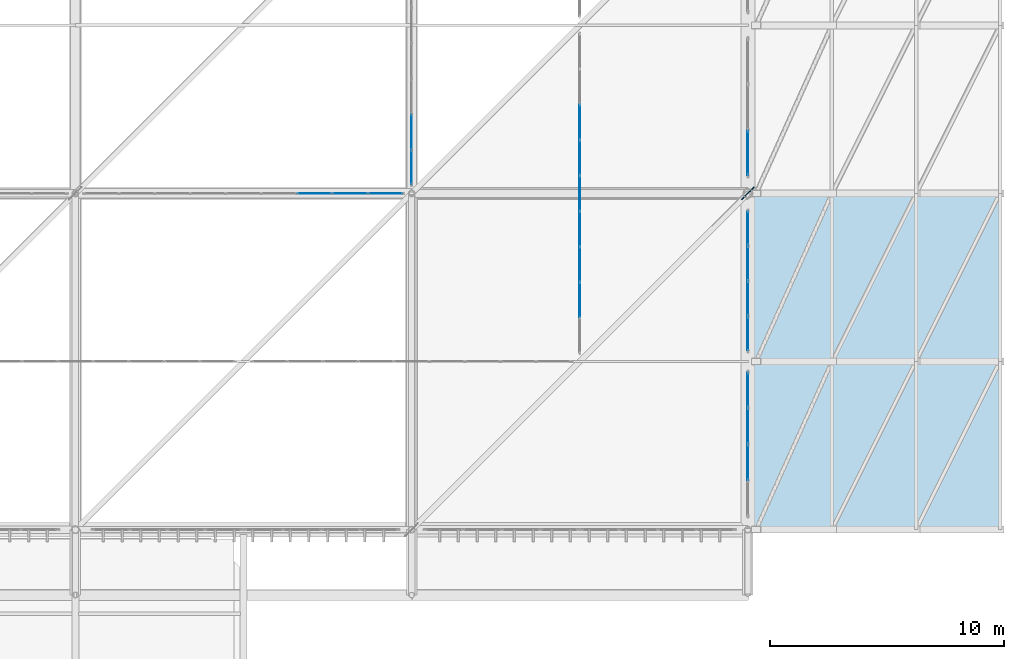
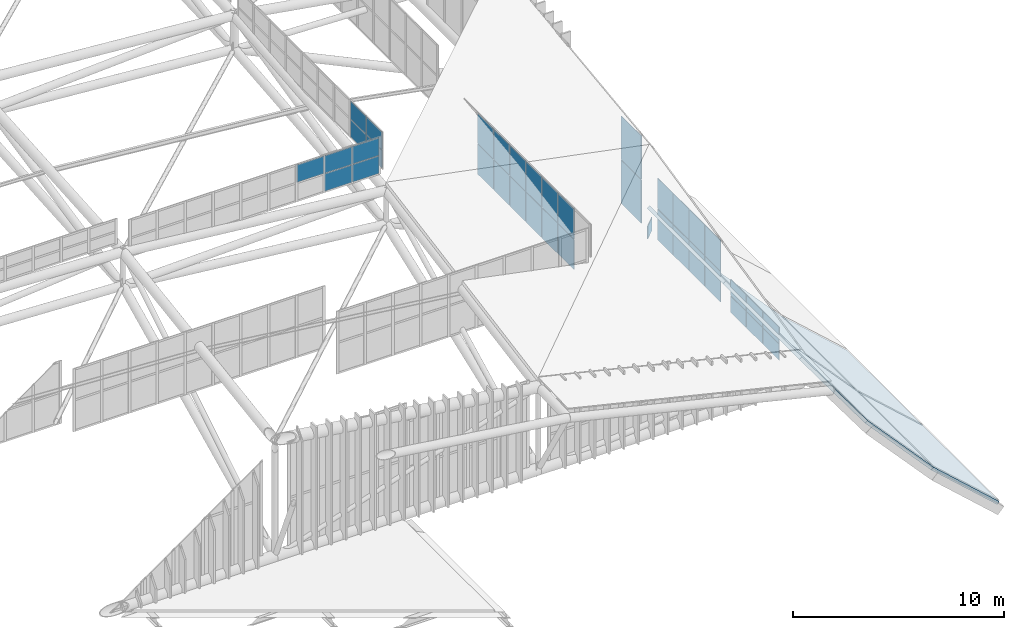
# One storey, part 367 of 397: 38 plates, 6 slabs, 6 elements without a shape of their own.
"""IFC4 building model written with IfcOpenShell, lengths in metres."""

from ifc_helpers import new_model, si_unit, direction, frame, origin, origin_2d, place, context, subcontext, project, spatial, polyline, rectangle, outline, extrude, material, layer, layer_set, type_object, element, aggregate, save


model = new_model("IFC4")

# Units and contexts
model_context = context("Model", 3, precision=1e-05, world=origin(), true_north=direction((0.0, 1.0)))
body_context = subcontext(model_context, "Body", "Model", "MODEL_VIEW")
ifc_project = project(units=[si_unit("LENGTHUNIT", "METRE"), si_unit("AREAUNIT", "SQUARE_METRE"), si_unit("VOLUMEUNIT", "CUBIC_METRE"), si_unit("PLANEANGLEUNIT", "RADIAN"), si_unit("MASSUNIT", "GRAM", prefix="KILO")], contexts=[model_context])

# Site, building, storey
site_placement = place(None, origin())
site = spatial("IfcSite", under=ifc_project, at=site_placement, CompositionType="ELEMENT")
building_placement = place(site_placement, origin())
building = spatial("IfcBuilding", under=site, at=building_placement, Name="Qandorah Velis Arena", CompositionType="ELEMENT")
storey_placement = place(building_placement, frame((0.0, 0.0, 27.5)))
storey = spatial("IfcBuildingStorey", under=building, at=storey_placement, Name="RF", CompositionType="ELEMENT", Elevation=27.5)

# Curtain wall, plates
ifc_material_1 = material(Name="Solar-control low-E double glazing", Category="glass")
curtain_wall_type_1 = type_object("IfcCurtainWallType", Name="ARC-CW-SYS13", PredefinedType="USERDEFINED", material=ifc_material_1)
curtain_wall_1_placement = place(storey_placement, origin())
curtain_wall_1 = element("IfcCurtainWall", 1, at=curtain_wall_1_placement, inside=storey, type_object=curtain_wall_type_1, Name="Unitised curtain wall MON-2-1", ObjectType="UNITISED CURTAIN WALL", PredefinedType="USERDEFINED")
ifc_layer_1 = layer(ifc_material_1, 0.030029296875)
ifc_layer_set_1 = layer_set([ifc_layer_1], Name="Solar-control low-E double glazing")
plate_type_1 = type_object("IfcPlateType", Name="ARC-CWP-GLZ30", PredefinedType="CURTAIN_PANEL", material=ifc_layer_set_1)
plate_1_placement = place(storey_placement, frame((108.0, 24.2333984375, 3.58642578125), z_axis=(0.0, 0.0, 1.0), x_axis=(0.0, 1.0, 0.0)))
plate_1 = element("IfcPlate", 2, at=plate_1_placement, type_object=plate_type_1, Name="CW13 panel 2.1", PredefinedType="CURTAIN_PANEL", context=body_context, shape_type="SweptSolid", body=[
    extrude(rectangle(XDim=1.4873046875, YDim=0.030029296875, at=origin_2d()), origin(), (0.0, 0.0, 1.0), 1.737548828125),
])
plate_2_placement = place(storey_placement, frame((108.0, 24.2333984375, 5.35888671875), z_axis=(0.0, 0.0, 1.0), x_axis=(0.0, 1.0, 0.0)))
plate_2 = element("IfcPlate", 3, at=plate_2_placement, type_object=plate_type_1, Name="CW13 panel 2.2", PredefinedType="CURTAIN_PANEL", context=body_context, shape_type="SweptSolid", body=[
    extrude(rectangle(XDim=1.4873046875, YDim=0.030029296875, at=origin_2d()), origin(), (0.0, 0.0, 1.0), 1.737548828125),
])
plate_3_placement = place(storey_placement, frame((108.0, 25.755615234375, 3.58642578125), z_axis=(0.0, 0.0, 1.0), x_axis=(0.0, 1.0, 0.0)))
plate_3 = element("IfcPlate", 4, at=plate_3_placement, type_object=plate_type_1, Name="CW13 panel 3.1", PredefinedType="CURTAIN_PANEL", context=body_context, shape_type="SweptSolid", body=[
    extrude(rectangle(XDim=1.4873046875, YDim=0.030029296875, at=origin_2d()), origin(), (0.0, 0.0, 1.0), 1.737548828125),
])
plate_4_placement = place(storey_placement, frame((108.0, 25.755615234375, 5.35888671875), z_axis=(0.0, 0.0, 1.0), x_axis=(0.0, 1.0, 0.0)))
plate_4 = element("IfcPlate", 5, at=plate_4_placement, type_object=plate_type_1, Name="CW13 panel 3.2", PredefinedType="CURTAIN_PANEL", context=body_context, shape_type="SweptSolid", body=[
    extrude(rectangle(XDim=1.4873046875, YDim=0.030029296875, at=origin_2d()), origin(), (0.0, 0.0, 1.0), 1.737548828125),
])
plate_5_placement = place(storey_placement, frame((108.0, 27.27783203125, 3.58642578125), z_axis=(0.0, 0.0, 1.0), x_axis=(0.0, 1.0, 0.0)))
plate_5 = element("IfcPlate", 6, at=plate_5_placement, type_object=plate_type_1, Name="CW13 panel 4.1", PredefinedType="CURTAIN_PANEL", context=body_context, shape_type="SweptSolid", body=[
    extrude(rectangle(XDim=1.4873046875, YDim=0.030029296875, at=origin_2d()), origin(), (0.0, 0.0, 1.0), 1.737548828125),
])
plate_6_placement = place(storey_placement, frame((108.0, 27.27783203125, 5.35888671875), z_axis=(0.0, 0.0, 1.0), x_axis=(0.0, 1.0, 0.0)))
plate_6 = element("IfcPlate", 7, at=plate_6_placement, type_object=plate_type_1, Name="CW13 panel 4.2", PredefinedType="CURTAIN_PANEL", context=body_context, shape_type="SweptSolid", body=[
    extrude(rectangle(XDim=1.4873046875, YDim=0.030029296875, at=origin_2d()), origin(), (0.0, 0.0, 1.0), 1.737548828125),
])
plate_7_placement = place(storey_placement, frame((108.0, 28.800048828125, 3.58642578125), z_axis=(0.0, 0.0, 1.0), x_axis=(0.0, 1.0, 0.0)))
plate_7 = element("IfcPlate", 8, at=plate_7_placement, type_object=plate_type_1, Name="CW13 panel 5.1", PredefinedType="CURTAIN_PANEL", context=body_context, shape_type="SweptSolid", body=[
    extrude(rectangle(XDim=1.4873046875, YDim=0.030029296875, at=origin_2d()), origin(), (0.0, 0.0, 1.0), 1.737548828125),
])
plate_8_placement = place(storey_placement, frame((108.0, 28.800048828125, 5.35888671875), z_axis=(0.0, 0.0, 1.0), x_axis=(0.0, 1.0, 0.0)))
plate_8 = element("IfcPlate", 9, at=plate_8_placement, type_object=plate_type_1, Name="CW13 panel 5.2", PredefinedType="CURTAIN_PANEL", context=body_context, shape_type="SweptSolid", body=[
    extrude(rectangle(XDim=1.4873046875, YDim=0.030029296875, at=origin_2d()), origin(), (0.0, 0.0, 1.0), 1.737548828125),
])
plate_9_placement = place(storey_placement, frame((108.0, 30.322265625, 3.58642578125), z_axis=(0.0, 0.0, 1.0), x_axis=(0.0, 1.0, 0.0)))
plate_9 = element("IfcPlate", 10, at=plate_9_placement, type_object=plate_type_1, Name="CW13 panel 6.1", PredefinedType="CURTAIN_PANEL", context=body_context, shape_type="SweptSolid", body=[
    extrude(rectangle(XDim=1.4873046875, YDim=0.030029296875, at=origin_2d()), origin(), (0.0, 0.0, 1.0), 1.737548828125),
])
plate_10_placement = place(storey_placement, frame((108.0, 30.322265625, 5.35888671875), z_axis=(0.0, 0.0, 1.0), x_axis=(0.0, 1.0, 0.0)))
plate_10 = element("IfcPlate", 11, at=plate_10_placement, type_object=plate_type_1, Name="CW13 panel 6.2", PredefinedType="CURTAIN_PANEL", context=body_context, shape_type="SweptSolid", body=[
    extrude(rectangle(XDim=1.4873046875, YDim=0.030029296875, at=origin_2d()), origin(), (0.0, 0.0, 1.0), 1.737548828125),
])
plate_11_placement = place(storey_placement, frame((108.0, 31.844482421875, 3.58642578125), z_axis=(0.0, 0.0, 1.0), x_axis=(0.0, 1.0, 0.0)))
plate_11 = element("IfcPlate", 12, at=plate_11_placement, type_object=plate_type_1, Name="CW13 panel 7.1", PredefinedType="CURTAIN_PANEL", context=body_context, shape_type="SweptSolid", body=[
    extrude(rectangle(XDim=1.4873046875, YDim=0.030029296875, at=origin_2d()), origin(), (0.0, 0.0, 1.0), 1.737548828125),
])
plate_12_placement = place(storey_placement, frame((108.0, 31.844482421875, 5.35888671875), z_axis=(0.0, 0.0, 1.0), x_axis=(0.0, 1.0, 0.0)))
plate_12 = element("IfcPlate", 13, at=plate_12_placement, type_object=plate_type_1, Name="CW13 panel 7.2", PredefinedType="CURTAIN_PANEL", context=body_context, shape_type="SweptSolid", body=[
    extrude(rectangle(XDim=1.4873046875, YDim=0.030029296875, at=origin_2d()), origin(), (0.0, 0.0, 1.0), 1.737548828125),
])
aggregate(curtain_wall_1, [plate_1, plate_2, plate_3, plate_4, plate_5, plate_6, plate_7, plate_8, plate_9, plate_10, plate_11, plate_12])

curtain_wall_type_2 = type_object("IfcCurtainWallType", Name="ARC-CW-SYS11", PredefinedType="USERDEFINED", material=ifc_material_1)
curtain_wall_2_placement = place(storey_placement, origin())
curtain_wall_2 = element("IfcCurtainWall", 14, at=curtain_wall_2_placement, inside=storey, type_object=curtain_wall_type_2, Name="Unitised curtain wall OCULUS-2-1", ObjectType="UNITISED CURTAIN WALL", PredefinedType="USERDEFINED")
plate_13_placement = place(storey_placement, frame((100.800048828125, 29.9248046875, 8.53125), z_axis=(0.0, 0.0, 1.0), x_axis=(0.0, 1.0, 0.0)))
plate_13 = element("IfcPlate", 15, at=plate_13_placement, type_object=plate_type_1, Name="CW11 panel 1.1", PredefinedType="CURTAIN_PANEL", context=body_context, shape_type="SweptSolid", body=[
    extrude(rectangle(XDim=1.459716796875, YDim=0.030029296875, at=origin_2d()), origin(), (0.0, 0.0, 1.0), 1.012451171875),
])
plate_14_placement = place(storey_placement, frame((100.800048828125, 29.9248046875, 9.57861328125), z_axis=(0.0, 0.0, 1.0), x_axis=(0.0, 1.0, 0.0)))
plate_14 = element("IfcPlate", 16, at=plate_14_placement, type_object=plate_type_1, Name="CW11 panel 1.2", PredefinedType="CURTAIN_PANEL", context=body_context, shape_type="SweptSolid", body=[
    extrude(rectangle(XDim=1.459716796875, YDim=0.030029296875, at=origin_2d()), origin(), (0.0, 0.0, 1.0), 1.012451171875),
])
plate_15_placement = place(storey_placement, frame((100.800048828125, 31.433349609375, 8.53125), z_axis=(0.0, 0.0, 1.0), x_axis=(0.0, 1.0, 0.0)))
plate_15 = element("IfcPlate", 17, at=plate_15_placement, type_object=plate_type_1, Name="CW11 panel 2.1", PredefinedType="CURTAIN_PANEL", context=body_context, shape_type="SweptSolid", body=[
    extrude(rectangle(XDim=1.4873046875, YDim=0.030029296875, at=origin_2d()), origin(), (0.0, 0.0, 1.0), 1.012451171875),
])
plate_16_placement = place(storey_placement, frame((100.800048828125, 31.433349609375, 9.57861328125), z_axis=(0.0, 0.0, 1.0), x_axis=(0.0, 1.0, 0.0)))
plate_16 = element("IfcPlate", 18, at=plate_16_placement, type_object=plate_type_1, Name="CW11 panel 2.2", PredefinedType="CURTAIN_PANEL", context=body_context, shape_type="SweptSolid", body=[
    extrude(rectangle(XDim=1.4873046875, YDim=0.030029296875, at=origin_2d()), origin(), (0.0, 0.0, 1.0), 1.012451171875),
])
aggregate(curtain_wall_2, [plate_13, plate_14, plate_15, plate_16])

curtain_wall_type_3 = type_object("IfcCurtainWallType", Name="ARC-CW-SYS20", PredefinedType="USERDEFINED", material=ifc_material_1)
curtain_wall_3_placement = place(storey_placement, origin())
curtain_wall_3 = element("IfcCurtainWall", 19, at=curtain_wall_3_placement, inside=storey, type_object=curtain_wall_type_3, Name="Unitised curtain wall OCULUS-3-5", ObjectType="UNITISED CURTAIN WALL", PredefinedType="USERDEFINED")
plate_17_placement = place(storey_placement, frame((96.64453125, 28.800048828125, 9.642578125), z_axis=(0.0, 0.0, 1.0), x_axis=(1.0, 0.0, 0.0)))
plate_17 = element("IfcPlate", 20, at=plate_17_placement, type_object=plate_type_1, Name="CW20 panel 7.2", PredefinedType="CURTAIN_PANEL", context=body_context, shape_type="SweptSolid", body=[
    extrude(rectangle(XDim=1.4873046875, YDim=0.030029296875, at=origin_2d()), origin(), (0.0, 0.0, 1.0), 1.012451171875),
])
plate_18_placement = place(storey_placement, frame((98.166748046875, 28.800048828125, 8.59521484375), z_axis=(0.0, 0.0, 1.0), x_axis=(1.0, 0.0, 0.0)))
plate_18 = element("IfcPlate", 21, at=plate_18_placement, type_object=plate_type_1, Name="CW20 panel 8.1", PredefinedType="CURTAIN_PANEL", context=body_context, shape_type="SweptSolid", body=[
    extrude(rectangle(XDim=1.4873046875, YDim=0.030029296875, at=origin_2d()), origin(), (0.0, 0.0, 1.0), 1.012451171875),
])
plate_19_placement = place(storey_placement, frame((98.166748046875, 28.800048828125, 9.642578125), z_axis=(0.0, 0.0, 1.0), x_axis=(1.0, 0.0, 0.0)))
plate_19 = element("IfcPlate", 22, at=plate_19_placement, type_object=plate_type_1, Name="CW20 panel 8.2", PredefinedType="CURTAIN_PANEL", context=body_context, shape_type="SweptSolid", body=[
    extrude(rectangle(XDim=1.4873046875, YDim=0.030029296875, at=origin_2d()), origin(), (0.0, 0.0, 1.0), 1.012451171875),
])
plate_20_placement = place(storey_placement, frame((99.675048828125, 28.800048828125, 8.59521484375), z_axis=(0.0, 0.0, 1.0), x_axis=(1.0, 0.0, 0.0)))
plate_20 = element("IfcPlate", 23, at=plate_20_placement, type_object=plate_type_1, Name="CW20 panel 9.1", PredefinedType="CURTAIN_PANEL", context=body_context, shape_type="SweptSolid", body=[
    extrude(rectangle(XDim=1.459716796875, YDim=0.030029296875, at=origin_2d()), origin(), (0.0, 0.0, 1.0), 1.012451171875),
])
plate_21_placement = place(storey_placement, frame((99.675048828125, 28.800048828125, 9.642578125), z_axis=(0.0, 0.0, 1.0), x_axis=(1.0, 0.0, 0.0)))
plate_21 = element("IfcPlate", 24, at=plate_21_placement, type_object=plate_type_1, Name="CW20 panel 9.2", PredefinedType="CURTAIN_PANEL", context=body_context, shape_type="SweptSolid", body=[
    extrude(rectangle(XDim=1.459716796875, YDim=0.030029296875, at=origin_2d()), origin(), (0.0, 0.0, 1.0), 1.012451171875),
])
aggregate(curtain_wall_3, [plate_17, plate_18, plate_19, plate_20, plate_21])

curtain_wall_type_4 = type_object("IfcCurtainWallType", Name="ARC-CW-SYS09", PredefinedType="USERDEFINED", material=ifc_material_1)
curtain_wall_4_placement = place(storey_placement, origin())
curtain_wall_4 = element("IfcCurtainWall", 25, at=curtain_wall_4_placement, inside=storey, type_object=curtain_wall_type_4, Name="Unitised curtain wall CROWN-2-01S1", ObjectType="UNITISED CURTAIN WALL", PredefinedType="USERDEFINED")
ifc_layer_2 = layer(ifc_material_1, 0.035888671875)
ifc_layer_set_2 = layer_set([ifc_layer_2], Name="Solar-control low-E double glazing")
plate_type_2 = type_object("IfcPlateType", Name="ARC-CWP-GLZ36", PredefinedType="CURTAIN_PANEL", material=ifc_layer_set_2)
plate_22_placement = place(storey_placement, frame((115.199951171875, 17.284423828125, 0.0498046875), z_axis=(0.0, 0.0, 1.0), x_axis=(0.0, 1.0, 0.0)))
plate_22 = element("IfcPlate", 26, at=plate_22_placement, type_object=plate_type_2, Name="CW09 panel 2.1", PredefinedType="CURTAIN_PANEL", context=body_context, shape_type="SweptSolid", body=[
    extrude(rectangle(XDim=1.516357421875, YDim=0.035888671875, at=origin_2d()), origin(), (0.0, 0.0, 1.0), 0.931396484375),
])
plate_23_placement = place(storey_placement, frame((115.199951171875, 17.284423828125, 1.021484375), z_axis=(0.0, 0.0, 1.0), x_axis=(0.0, 1.0, 0.0)))
plate_23 = element("IfcPlate", 27, at=plate_23_placement, type_object=plate_type_2, Name="CW09 panel 2.2", PredefinedType="CURTAIN_PANEL", context=body_context, shape_type="SweptSolid", body=[
    extrude(rectangle(XDim=1.516357421875, YDim=0.035888671875, at=origin_2d()), origin(), (0.0, 0.0, 1.0), 0.931396484375),
])
plate_24_placement = place(storey_placement, frame((115.199951171875, 18.840576171875, 0.0498046875), z_axis=(0.0, 0.0, 1.0), x_axis=(0.0, 1.0, 0.0)))
plate_24 = element("IfcPlate", 28, at=plate_24_placement, type_object=plate_type_2, Name="CW09 panel 3.1", PredefinedType="CURTAIN_PANEL", context=body_context, shape_type="SweptSolid", body=[
    extrude(rectangle(XDim=1.516357421875, YDim=0.035888671875, at=origin_2d()), origin(), (0.0, 0.0, 1.0), 0.931396484375),
])
plate_25_placement = place(storey_placement, frame((115.199951171875, 18.840576171875, 1.021484375), z_axis=(0.0, 0.0, 1.0), x_axis=(0.0, 1.0, 0.0)))
plate_25 = element("IfcPlate", 29, at=plate_25_placement, type_object=plate_type_2, Name="CW09 panel 3.2", PredefinedType="CURTAIN_PANEL", context=body_context, shape_type="SweptSolid", body=[
    extrude(rectangle(XDim=1.516357421875, YDim=0.035888671875, at=origin_2d()), origin(), (0.0, 0.0, 1.0), 0.931396484375),
])
plate_26_placement = place(storey_placement, frame((115.199951171875, 20.3818359375, 0.0498046875), z_axis=(0.0, 0.0, 1.0), x_axis=(0.0, 1.0, 0.0)))
plate_26 = element("IfcPlate", 30, at=plate_26_placement, type_object=plate_type_2, Name="CW09 panel 4.1", PredefinedType="CURTAIN_PANEL", context=body_context, shape_type="SweptSolid", body=[
    extrude(rectangle(XDim=1.486083984375, YDim=0.035888671875, at=origin_2d()), origin(), (0.0, 0.0, 1.0), 0.931396484375),
])
plate_27_placement = place(storey_placement, frame((115.199951171875, 20.3818359375, 1.021484375), z_axis=(0.0, 0.0, 1.0), x_axis=(0.0, 1.0, 0.0)))
plate_27 = element("IfcPlate", 31, at=plate_27_placement, type_object=plate_type_2, Name="CW09 panel 4.2", PredefinedType="CURTAIN_PANEL", context=body_context, shape_type="SweptSolid", body=[
    extrude(rectangle(XDim=1.486083984375, YDim=0.035888671875, at=origin_2d()), origin(), (0.0, 0.0, 1.0), 0.931396484375),
])
aggregate(curtain_wall_4, [plate_22, plate_23, plate_24, plate_25, plate_26, plate_27])

curtain_wall_type_5 = type_object("IfcCurtainWallType", Name="ARC-CW-SYS10", PredefinedType="USERDEFINED", material=ifc_material_1)
curtain_wall_5_placement = place(storey_placement, origin())
curtain_wall_5 = element("IfcCurtainWall", 32, at=curtain_wall_5_placement, inside=storey, type_object=curtain_wall_type_5, Name="Unitised curtain wall CROWN-2-01S2", ObjectType="UNITISED CURTAIN WALL", PredefinedType="USERDEFINED")
plate_28_placement = place(storey_placement, frame((115.199951171875, 22.796142578125, 0.050048828125), z_axis=(0.0, 0.0, 1.0), x_axis=(0.0, 1.0, 0.0)))
plate_28 = element("IfcPlate", 33, at=plate_28_placement, type_object=plate_type_2, Name="CW10 panel 1.1", PredefinedType="CURTAIN_PANEL", context=body_context, shape_type="SweptSolid", body=[
    extrude(rectangle(XDim=1.4423828125, YDim=0.035888671875, at=origin_2d()), origin(), (0.0, 0.0, 1.0), 1.76025390625),
])
plate_29_placement = place(storey_placement, frame((115.199951171875, 22.796142578125, 1.850341796875), z_axis=(0.0, 0.0, 1.0), x_axis=(0.0, 1.0, 0.0)))
plate_29 = element("IfcPlate", 34, at=plate_29_placement, type_object=plate_type_2, Name="CW10 panel 1.2", PredefinedType="CURTAIN_PANEL", context=body_context, shape_type="SweptSolid", body=[
    extrude(rectangle(XDim=1.4423828125, YDim=0.035888671875, at=origin_2d()), origin(), (0.0, 0.0, 1.0), 1.76025390625),
])
plate_30_placement = place(storey_placement, frame((115.199951171875, 24.293701171875, 0.050048828125), z_axis=(0.0, 0.0, 1.0), x_axis=(0.0, 1.0, 0.0)))
plate_30 = element("IfcPlate", 35, at=plate_30_placement, type_object=plate_type_2, Name="CW10 panel 2.1", PredefinedType="CURTAIN_PANEL", context=body_context, shape_type="SweptSolid", body=[
    extrude(rectangle(XDim=1.472412109375, YDim=0.035888671875, at=origin_2d()), origin(), (0.0, 0.0, 1.0), 1.76025390625),
])
plate_31_placement = place(storey_placement, frame((115.199951171875, 24.293701171875, 1.850341796875), z_axis=(0.0, 0.0, 1.0), x_axis=(0.0, 1.0, 0.0)))
plate_31 = element("IfcPlate", 36, at=plate_31_placement, type_object=plate_type_2, Name="CW10 panel 2.2", PredefinedType="CURTAIN_PANEL", context=body_context, shape_type="SweptSolid", body=[
    extrude(rectangle(XDim=1.472412109375, YDim=0.035888671875, at=origin_2d()), origin(), (0.0, 0.0, 1.0), 1.76025390625),
])
plate_32_placement = place(storey_placement, frame((115.199951171875, 25.80615234375, 0.050048828125), z_axis=(0.0, 0.0, 1.0), x_axis=(0.0, 1.0, 0.0)))
plate_32 = element("IfcPlate", 37, at=plate_32_placement, type_object=plate_type_2, Name="CW10 panel 3.1", PredefinedType="CURTAIN_PANEL", context=body_context, shape_type="SweptSolid", body=[
    extrude(rectangle(XDim=1.472412109375, YDim=0.035888671875, at=origin_2d()), origin(), (0.0, 0.0, 1.0), 1.76025390625),
])
plate_33_placement = place(storey_placement, frame((115.199951171875, 25.80615234375, 1.850341796875), z_axis=(0.0, 0.0, 1.0), x_axis=(0.0, 1.0, 0.0)))
plate_33 = element("IfcPlate", 38, at=plate_33_placement, type_object=plate_type_2, Name="CW10 panel 3.2", PredefinedType="CURTAIN_PANEL", context=body_context, shape_type="SweptSolid", body=[
    extrude(rectangle(XDim=1.472412109375, YDim=0.035888671875, at=origin_2d()), origin(), (0.0, 0.0, 1.0), 1.76025390625),
])
plate_34_placement = place(storey_placement, frame((115.199951171875, 27.3037109375, 0.050048828125), z_axis=(0.0, 0.0, 1.0), x_axis=(0.0, 1.0, 0.0)))
plate_34 = element("IfcPlate", 39, at=plate_34_placement, type_object=plate_type_2, Name="CW10 panel 4.1", PredefinedType="CURTAIN_PANEL", context=body_context, shape_type="SweptSolid", body=[
    extrude(rectangle(XDim=1.4423828125, YDim=0.035888671875, at=origin_2d()), origin(), (0.0, 0.0, 1.0), 1.76025390625),
])
plate_35_placement = place(storey_placement, frame((115.199951171875, 27.3037109375, 1.850341796875), z_axis=(0.0, 0.0, 1.0), x_axis=(0.0, 1.0, 0.0)))
plate_35 = element("IfcPlate", 40, at=plate_35_placement, type_object=plate_type_2, Name="CW10 panel 4.2", PredefinedType="CURTAIN_PANEL", context=body_context, shape_type="SweptSolid", body=[
    extrude(rectangle(XDim=1.4423828125, YDim=0.035888671875, at=origin_2d()), origin(), (0.0, 0.0, 1.0), 1.76025390625),
])
aggregate(curtain_wall_5, [plate_28, plate_29, plate_30, plate_31, plate_32, plate_33, plate_34, plate_35])

curtain_wall_6_placement = place(storey_placement, origin())
curtain_wall_6 = element("IfcCurtainWall", 41, at=curtain_wall_6_placement, inside=storey, type_object=curtain_wall_type_5, Name="Unitised curtain wall CROWN-2-02S1", ObjectType="UNITISED CURTAIN WALL", PredefinedType="USERDEFINED")
plate_36_placement = place(storey_placement, frame((115.199951171875, 30.527587890625, 0.0498046875), z_axis=(0.0, 0.0, 1.0), x_axis=(0.0, 1.0, 0.0)))
plate_36 = element("IfcPlate", 42, at=plate_36_placement, type_object=plate_type_2, Name="CW10 panel 1.1", PredefinedType="CURTAIN_PANEL", context=body_context, shape_type="SweptSolid", body=[
    extrude(rectangle(XDim=1.905029296875, YDim=0.035888671875, at=origin_2d()), origin(), (0.0, 0.0, 1.0), 2.505615234375),
])
plate_37_placement = place(storey_placement, frame((115.199951171875, 30.527587890625, 2.595703125), z_axis=(0.0, 0.0, 1.0), x_axis=(0.0, 1.0, 0.0)))
plate_37 = element("IfcPlate", 43, at=plate_37_placement, type_object=plate_type_2, Name="CW10 panel 1.2", PredefinedType="CURTAIN_PANEL", context=body_context, shape_type="SweptSolid", body=[
    extrude(rectangle(XDim=1.905029296875, YDim=0.035888671875, at=origin_2d()), origin(), (0.0, 0.0, 1.0), 2.505615234375),
])
aggregate(curtain_wall_6, [plate_36, plate_37])

# Plate
ifc_material_2 = material(Name="Steel S355", Category="steel")
ifc_layer_3 = layer(ifc_material_2, 0.0400390625)
ifc_layer_set_3 = layer_set([ifc_layer_3], Name="Steel S355")
plate_type_3 = type_object("IfcPlateType", Name="STR-PLT-GUS40", PredefinedType="SHEET", material=ifc_layer_set_3)
plate_38_placement = place(storey_placement, frame((115.199951171875, 28.800048828125, -0.125), z_axis=(0.0, 0.0, 1.0), x_axis=(0.707106781187, 0.707106781187, 0.0)))
element("IfcPlate", 44, at=plate_38_placement, inside=storey, type_object=plate_type_3, Name="Space frame gusset plate 7.1", PredefinedType="SHEET", context=body_context, shape_type="SweptSolid", body=[
    extrude(rectangle(XDim=0.75, YDim=0.0400390625, at=origin_2d()), origin(), (0.0, 0.0, 1.0), 0.75),
])

# Slabs
ifc_material_3 = material(Name="Concrete C40/50", Category="concrete")
ifc_layer_4 = layer(ifc_material_3, 0.179931640625)
ifc_layer_set_4 = layer_set([ifc_layer_4], Name="Concrete C40/50")
slab_type = type_object("IfcSlabType", Name="STR-SLB-RF180", PredefinedType="ROOF", material=ifc_layer_set_4)
slab_1_placement = place(storey_placement, frame((115.199951171875, 14.39990234375, 1.5400390625), z_axis=(0.808241926345, 0.0, 0.588850565508), x_axis=(0.588850565508, 0.0, -0.808241926345)))
element("IfcSlab", 45, at=slab_1_placement, inside=storey, type_object=slab_type, Name="Sweeping entrance canopy deck 1.01", PredefinedType="ROOF", context=body_context, shape_type="SweptSolid", body=[
    extrude(outline(polyline([(0.0, 0.0), (6.113771247117102, 0.0), (6.113771247117102, 7.2001953125), (0.0, 7.2001953125), (0.0, 0.0)])), origin(), (0.0, 0.0, -1.0), 0.179931640625),
])
slab_2_placement = place(storey_placement, frame((118.800048828125, 14.39990234375, -3.4013671875), z_axis=(0.739288789578, 0.0, 0.673388510151), x_axis=(0.673388510151, 0.0, -0.739288789578)))
element("IfcSlab", 46, at=slab_2_placement, inside=storey, type_object=slab_type, Name="Sweeping entrance canopy deck 1.02", PredefinedType="ROOF", context=body_context, shape_type="SweptSolid", body=[
    extrude(outline(polyline([(0.0, 0.0), (5.345879030242957, 0.0), (5.345879030242957, 7.2001953125), (0.0, 7.2001953125), (0.0, 0.0)])), origin(), (0.0, 0.0, -1.0), 0.179931640625),
])
slab_3_placement = place(storey_placement, frame((122.39990234375, 14.39990234375, -7.353515625), z_axis=(0.6704256924, 0.0, 0.741976678185), x_axis=(0.741976678185, 0.0, -0.6704256924)))
element("IfcSlab", 47, at=slab_3_placement, inside=storey, type_object=slab_type, Name="Sweeping entrance canopy deck 1.03", PredefinedType="ROOF", context=body_context, shape_type="SweptSolid", body=[
    extrude(outline(polyline([(0.0, 0.0), (4.852036138195551, 0.0), (4.852036138195551, 7.2001953125), (0.0, 7.2001953125), (0.0, 0.0)])), origin(), (0.0, 0.0, -1.0), 0.179931640625),
])
slab_4_placement = place(storey_placement, frame((115.199951171875, 21.60009765625, 1.5400390625), z_axis=(0.808241926345, 0.0, 0.588850565508), x_axis=(0.588850565508, 0.0, -0.808241926345)))
element("IfcSlab", 48, at=slab_4_placement, inside=storey, type_object=slab_type, Name="Sweeping entrance canopy deck 2.01", PredefinedType="ROOF", context=body_context, shape_type="SweptSolid", body=[
    extrude(outline(polyline([(0.0, 0.0), (6.113771247117102, 0.0), (6.113771247117102, 7.199951171875), (0.0, 7.199951171875), (0.0, 0.0)])), origin(), (0.0, 0.0, -1.0), 0.179931640625),
])
slab_5_placement = place(storey_placement, frame((118.800048828125, 21.60009765625, -3.4013671875), z_axis=(0.739288789578, 0.0, 0.673388510151), x_axis=(0.673388510151, 0.0, -0.739288789578)))
element("IfcSlab", 49, at=slab_5_placement, inside=storey, type_object=slab_type, Name="Sweeping entrance canopy deck 2.02", PredefinedType="ROOF", context=body_context, shape_type="SweptSolid", body=[
    extrude(outline(polyline([(0.0, 0.0), (5.345879030242957, 0.0), (5.345879030242957, 7.199951171875002), (0.0, 7.199951171875002), (0.0, 0.0)])), origin(), (0.0, 0.0, -1.0), 0.179931640625),
])
slab_6_placement = place(storey_placement, frame((122.39990234375, 21.60009765625, -7.353515625), z_axis=(0.6704256924, 0.0, 0.741976678185), x_axis=(0.741976678185, 0.0, -0.6704256924)))
element("IfcSlab", 50, at=slab_6_placement, inside=storey, type_object=slab_type, Name="Sweeping entrance canopy deck 2.03", PredefinedType="ROOF", context=body_context, shape_type="SweptSolid", body=[
    extrude(outline(polyline([(0.0, 0.0), (4.852036138195551, 0.0), (4.852036138195551, 7.199951171875), (0.0, 7.199951171875), (0.0, 0.0)])), origin(), (0.0, 0.0, -1.0), 0.179931640625),
])

save(model, "model.ifc")
